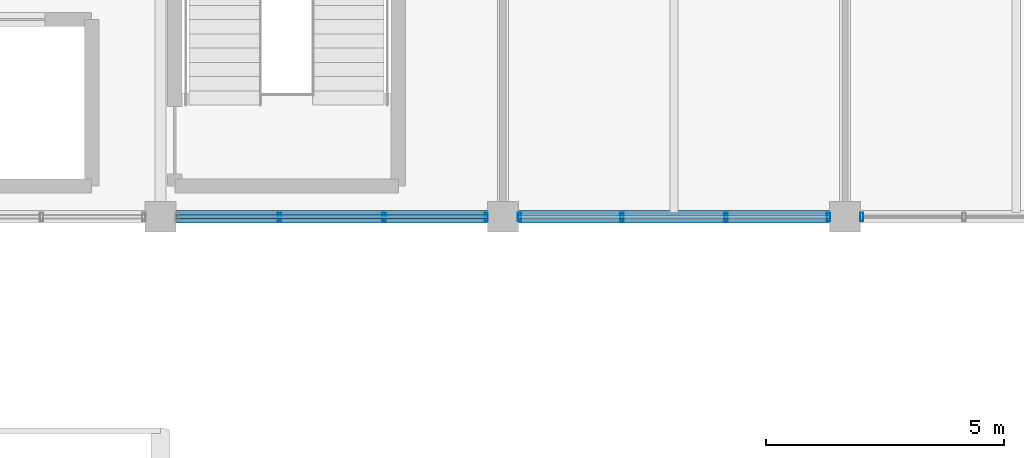
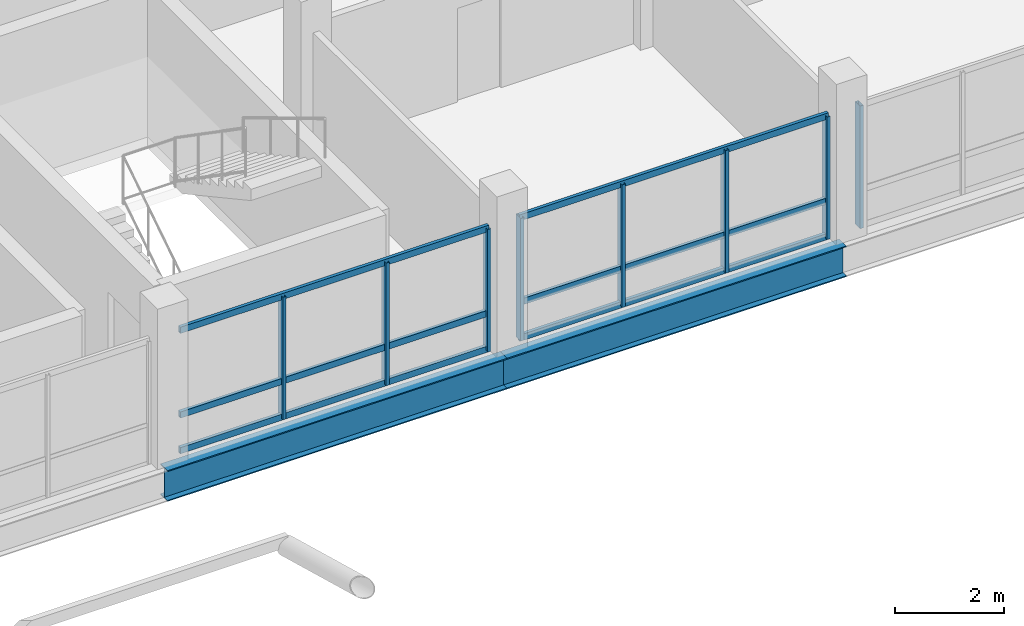
# One storey, part 42 of 96: 14 members, 2 beams, 3 elements without a shape of their own.
"""IFC4 building model written with IfcOpenShell, lengths in metres."""

from ifc_helpers import new_model, si_unit, direction, frame, origin, origin_2d, place, context, subcontext, project, spatial, hollow_rectangle, i_section, extrude, material, material_profile, profile_set, type_object, element, aggregate, save


model = new_model("IFC4")

# Units and contexts
model_context = context("Model", 3, precision=1e-05, world=origin(), true_north=direction((0.0, 1.0)))
body_context = subcontext(model_context, "Body", "Model", "MODEL_VIEW")
ifc_project = project(units=[si_unit("LENGTHUNIT", "METRE"), si_unit("AREAUNIT", "SQUARE_METRE"), si_unit("VOLUMEUNIT", "CUBIC_METRE"), si_unit("PLANEANGLEUNIT", "RADIAN"), si_unit("MASSUNIT", "GRAM", prefix="KILO")], contexts=[model_context])

# Site, building, storey
site_placement = place(None, origin())
site = spatial("IfcSite", under=ifc_project, at=site_placement, CompositionType="ELEMENT")
building_placement = place(site_placement, origin())
building = spatial("IfcBuilding", under=site, at=building_placement, Name="Yarey Park Central Fire Station", CompositionType="ELEMENT")
storey_placement = place(building_placement, frame((0.0, 0.0, 14.39990234375)))
storey = spatial("IfcBuildingStorey", under=building, at=storey_placement, Name="L04", CompositionType="ELEMENT", Elevation=14.39990234375)

# Curtain wall, members
ifc_material_1 = material(Name="Anodized Aluminium Frame", Category="aluminium")
curtain_wall_type = type_object("IfcCurtainWallType", Name="ENV_CW_HQ_L04", PredefinedType="NOTDEFINED", material=ifc_material_1)
curtain_wall_1_placement = place(storey_placement, origin())
curtain_wall_1 = element("IfcCurtainWall", 1, at=curtain_wall_1_placement, inside=storey, type_object=curtain_wall_type, Name="CW_L04_V4_S_4", PredefinedType="NOTDEFINED")
ifc_material_profile_1 = material_profile(ifc_material_1, hollow_rectangle(XDim=0.070068359375, YDim=0.179931640625, WallThickness=0.00390625, at=origin_2d()), Name="ALU 180x70x4")
ifc_profile_set_1 = profile_set([ifc_material_profile_1], Name="Anodized Aluminium Frame")
member_type_1 = type_object("IfcMemberType", Name="ENV_CW_MULLION", PredefinedType="MULLION", material=ifc_profile_set_1)
member_1_placement = place(storey_placement, frame((139.30322265625, 93.60009765625, 0.0), z_axis=(0.0, 0.0, 1.0), x_axis=(1.0, 0.0, 0.0)))
member_1 = element("IfcMember", 2, at=member_1_placement, type_object=member_type_1, Name="CW_L04_V4_S_4_MUL2", PredefinedType="MULLION", context=body_context, shape_type="SweptSolid", body=[
    extrude(hollow_rectangle(XDim=0.070068359375, YDim=0.179931640625, WallThickness=0.00390625, at=origin_2d()), origin(), (0.0, 0.0, 1.0), 2.75),
])
member_2_placement = place(storey_placement, frame((141.49658203125, 93.60009765625, 0.0), z_axis=(0.0, 0.0, 1.0), x_axis=(1.0, 0.0, 0.0)))
member_2 = element("IfcMember", 3, at=member_2_placement, type_object=member_type_1, Name="CW_L04_V4_S_4_MUL3", PredefinedType="MULLION", context=body_context, shape_type="SweptSolid", body=[
    extrude(hollow_rectangle(XDim=0.070068359375, YDim=0.179931640625, WallThickness=0.00390625, at=origin_2d()), origin(), (0.0, 0.0, 1.0), 2.75),
])
member_3_placement = place(storey_placement, frame((143.64990234375, 93.60009765625, 0.0), z_axis=(0.0, 0.0, 1.0), x_axis=(1.0, 0.0, 0.0)))
member_3 = element("IfcMember", 4, at=member_3_placement, type_object=member_type_1, Name="CW_L04_V4_S_4_MUL4", PredefinedType="MULLION", context=body_context, shape_type="SweptSolid", body=[
    extrude(hollow_rectangle(XDim=0.070068359375, YDim=0.179931640625, WallThickness=0.00390625, at=origin_2d()), origin(), (0.0, 0.0, 1.0), 2.75),
])

curtain_wall_2_placement = place(storey_placement, origin())
curtain_wall_2 = element("IfcCurtainWall", 5, at=curtain_wall_2_placement, inside=storey, type_object=curtain_wall_type, Name="CW_L04_V4_S_5", PredefinedType="NOTDEFINED")
member_4_placement = place(storey_placement, frame((144.35009765625, 93.60009765625, 0.0), z_axis=(0.0, 0.0, 1.0), x_axis=(1.0, 0.0, 0.0)))
member_4 = element("IfcMember", 6, at=member_4_placement, type_object=member_type_1, Name="CW_L04_V4_S_5_MUL1", PredefinedType="MULLION", context=body_context, shape_type="SweptSolid", body=[
    extrude(hollow_rectangle(XDim=0.070068359375, YDim=0.179931640625, WallThickness=0.00390625, at=origin_2d()), origin(), (0.0, 0.0, 1.0), 2.75),
])
member_5_placement = place(storey_placement, frame((146.50341796875, 93.60009765625, 0.0), z_axis=(0.0, 0.0, 1.0), x_axis=(1.0, 0.0, 0.0)))
member_5 = element("IfcMember", 7, at=member_5_placement, type_object=member_type_1, Name="CW_L04_V4_S_5_MUL2", PredefinedType="MULLION", context=body_context, shape_type="SweptSolid", body=[
    extrude(hollow_rectangle(XDim=0.070068359375, YDim=0.179931640625, WallThickness=0.00390625, at=origin_2d()), origin(), (0.0, 0.0, 1.0), 2.75),
])
member_6_placement = place(storey_placement, frame((148.69677734375, 93.60009765625, 0.0), z_axis=(0.0, 0.0, 1.0), x_axis=(1.0, 0.0, 0.0)))
member_6 = element("IfcMember", 8, at=member_6_placement, type_object=member_type_1, Name="CW_L04_V4_S_5_MUL3", PredefinedType="MULLION", context=body_context, shape_type="SweptSolid", body=[
    extrude(hollow_rectangle(XDim=0.070068359375, YDim=0.179931640625, WallThickness=0.00390625, at=origin_2d()), origin(), (0.0, 0.0, 1.0), 2.75),
])
member_7_placement = place(storey_placement, frame((150.85009765625, 93.60009765625, 0.0), z_axis=(0.0, 0.0, 1.0), x_axis=(1.0, 0.0, 0.0)))
member_7 = element("IfcMember", 9, at=member_7_placement, type_object=member_type_1, Name="CW_L04_V4_S_5_MUL4", PredefinedType="MULLION", context=body_context, shape_type="SweptSolid", body=[
    extrude(hollow_rectangle(XDim=0.070068359375, YDim=0.179931640625, WallThickness=0.00390625, at=origin_2d()), origin(), (0.0, 0.0, 1.0), 2.75),
])

# Curtain wall, member
curtain_wall_3_placement = place(storey_placement, origin())
curtain_wall_3 = element("IfcCurtainWall", 10, at=curtain_wall_3_placement, inside=storey, type_object=curtain_wall_type, Name="CW_L04_V4_S_6", PredefinedType="NOTDEFINED")
member_8_placement = place(storey_placement, frame((151.550048828125, 93.60009765625, 0.0), z_axis=(0.0, 0.0, 1.0), x_axis=(1.0, 0.0, 0.0)))
member_8 = element("IfcMember", 11, at=member_8_placement, type_object=member_type_1, Name="CW_L04_V4_S_6_MUL1", PredefinedType="MULLION", context=body_context, shape_type="SweptSolid", body=[
    extrude(hollow_rectangle(XDim=0.070068359375, YDim=0.179931640625, WallThickness=0.00390625, at=origin_2d()), origin(), (0.0, 0.0, 1.0), 2.75),
])
aggregate(curtain_wall_3, [member_8])

# Member
ifc_material_profile_2 = material_profile(ifc_material_1, hollow_rectangle(XDim=0.070068359375, YDim=0.139892578125, WallThickness=0.00390625, at=origin_2d()), Name="ALU 140x70x4")
ifc_profile_set_2 = profile_set([ifc_material_profile_2], Name="Anodized Aluminium Frame")
member_type_2 = type_object("IfcMemberType", Name="ENV_CW_TRANSOM", PredefinedType="USERDEFINED", material=ifc_profile_set_2)
member_9_placement = place(storey_placement, frame((137.125, 93.60009765625, 0.025146484375), z_axis=(1.0, 0.0, 0.0), x_axis=(0.0, 1.0, 0.0)))
member_9 = element("IfcMember", 12, at=member_9_placement, type_object=member_type_2, Name="CW_L04_V4_S_4_TRN1", ObjectType="TRANSOM", PredefinedType="USERDEFINED", context=body_context, shape_type="SweptSolid", body=[
    extrude(hollow_rectangle(XDim=0.070068359375, YDim=0.139892578125, WallThickness=0.00390625, at=origin_2d()), origin(), (0.0, 0.0, 1.0), 6.550048828125),
])

member_10_placement = place(storey_placement, frame((137.125, 93.60009765625, 0.8251953125), z_axis=(1.0, 0.0, 0.0), x_axis=(0.0, 1.0, 0.0)))
member_10 = element("IfcMember", 13, at=member_10_placement, type_object=member_type_2, Name="CW_L04_V4_S_4_TRN2", ObjectType="TRANSOM", PredefinedType="USERDEFINED", context=body_context, shape_type="SweptSolid", body=[
    extrude(hollow_rectangle(XDim=0.070068359375, YDim=0.139892578125, WallThickness=0.00390625, at=origin_2d()), origin(), (0.0, 0.0, 1.0), 6.550048828125),
])

member_11_placement = place(storey_placement, frame((137.125, 93.60009765625, 2.72509765625), z_axis=(1.0, 0.0, 0.0), x_axis=(0.0, 1.0, 0.0)))
member_11 = element("IfcMember", 14, at=member_11_placement, type_object=member_type_2, Name="CW_L04_V4_S_4_TRN3", ObjectType="TRANSOM", PredefinedType="USERDEFINED", context=body_context, shape_type="SweptSolid", body=[
    extrude(hollow_rectangle(XDim=0.070068359375, YDim=0.139892578125, WallThickness=0.00390625, at=origin_2d()), origin(), (0.0, 0.0, 1.0), 6.550048828125),
])

aggregate(curtain_wall_1, [member_1, member_2, member_3, member_9, member_10, member_11])

member_12_placement = place(storey_placement, frame((144.324951171875, 93.60009765625, 0.025146484375), z_axis=(1.0, 0.0, 0.0), x_axis=(0.0, 1.0, 0.0)))
member_12 = element("IfcMember", 15, at=member_12_placement, type_object=member_type_2, Name="CW_L04_V4_S_5_TRN1", ObjectType="TRANSOM", PredefinedType="USERDEFINED", context=body_context, shape_type="SweptSolid", body=[
    extrude(hollow_rectangle(XDim=0.070068359375, YDim=0.139892578125, WallThickness=0.00390625, at=origin_2d()), origin(), (0.0, 0.0, 1.0), 6.550048828125),
])

member_13_placement = place(storey_placement, frame((144.324951171875, 93.60009765625, 0.8251953125), z_axis=(1.0, 0.0, 0.0), x_axis=(0.0, 1.0, 0.0)))
member_13 = element("IfcMember", 16, at=member_13_placement, type_object=member_type_2, Name="CW_L04_V4_S_5_TRN2", ObjectType="TRANSOM", PredefinedType="USERDEFINED", context=body_context, shape_type="SweptSolid", body=[
    extrude(hollow_rectangle(XDim=0.070068359375, YDim=0.139892578125, WallThickness=0.00390625, at=origin_2d()), origin(), (0.0, 0.0, 1.0), 6.550048828125),
])

member_14_placement = place(storey_placement, frame((144.324951171875, 93.60009765625, 2.72509765625), z_axis=(1.0, 0.0, 0.0), x_axis=(0.0, 1.0, 0.0)))
member_14 = element("IfcMember", 17, at=member_14_placement, type_object=member_type_2, Name="CW_L04_V4_S_5_TRN3", ObjectType="TRANSOM", PredefinedType="USERDEFINED", context=body_context, shape_type="SweptSolid", body=[
    extrude(hollow_rectangle(XDim=0.070068359375, YDim=0.139892578125, WallThickness=0.00390625, at=origin_2d()), origin(), (0.0, 0.0, 1.0), 6.550048828125),
])

aggregate(curtain_wall_2, [member_4, member_5, member_6, member_7, member_12, member_13, member_14])

# Beams
ifc_material_2 = material(Name="Steel ASTM A992 Gr. 50", Category="steel")
ifc_material_profile_3 = material_profile(ifc_material_2, i_section(OverallWidth=0.256103515625, OverallDepth=0.693115234375, WebThickness=0.014404296875, FlangeThickness=0.023681640625, at=origin_2d()), Name="W690x170")
ifc_profile_set_3 = profile_set([ifc_material_profile_3], Name="Steel ASTM A992 Gr. 50")
beam_type = type_object("IfcBeamType", Name="STR_BM_W690", PredefinedType="BEAM", material=ifc_profile_set_3)
for number, where, z_axis, x_axis, name in (
    (18, (136.800048828125, 93.60009765625, -0.596435546875), (1.0, 0.0, 0.0), (0.0, 1.0, 0.0), "BMX L04 Y936 X1368"),
    (19, (144.0, 93.60009765625, -0.596435546875), (1.0, 0.0, 0.0), (0.0, 1.0, 0.0), "BMX L04 Y936 X1440"),
):
    element("IfcBeam", number, at=place(storey_placement, frame(where, z_axis=z_axis, x_axis=x_axis)), inside=storey, type_object=beam_type, Name=name, PredefinedType="BEAM", context=body_context, shape_type="SweptSolid", body=[
        extrude(i_section(OverallWidth=0.256103515625, OverallDepth=0.693115234375, WebThickness=0.014404296875, FlangeThickness=0.023681640625, at=origin_2d()), origin(), (0.0, 0.0, 1.0), 7.199951171875),
    ])

save(model, "model.ifc")
